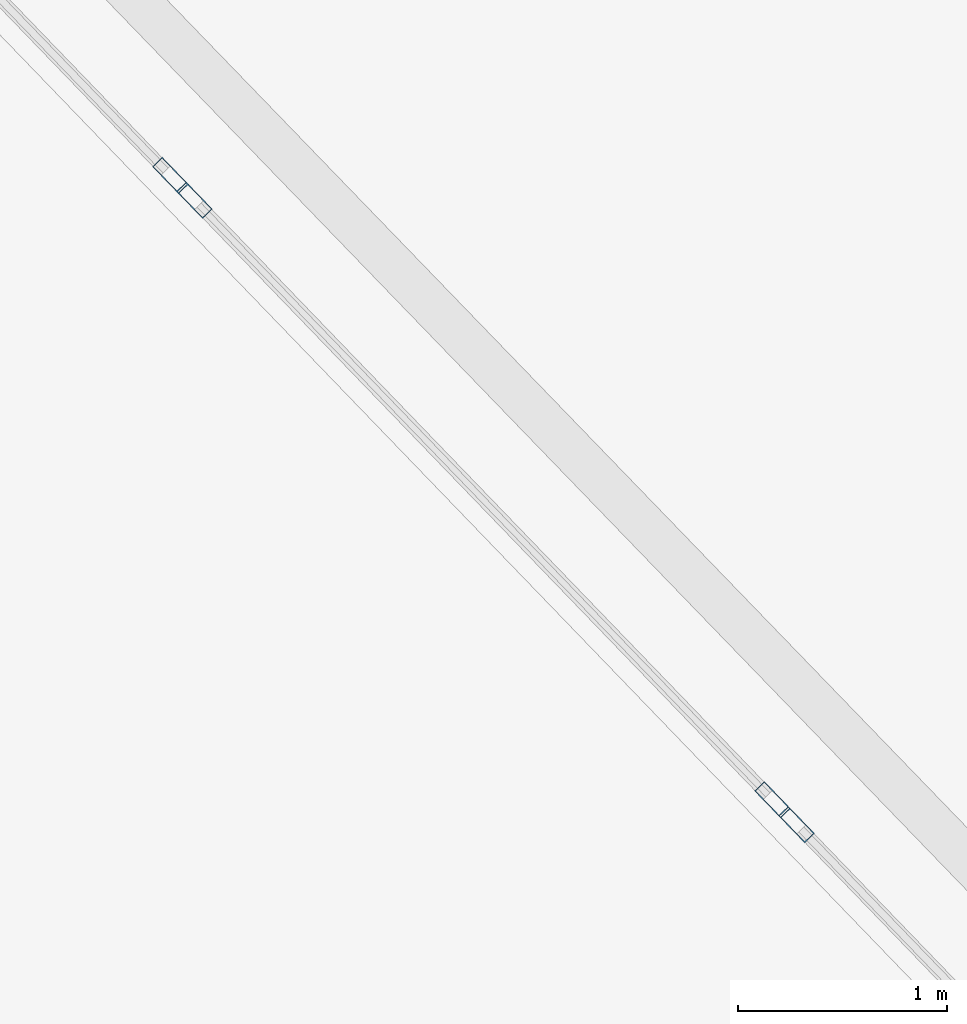
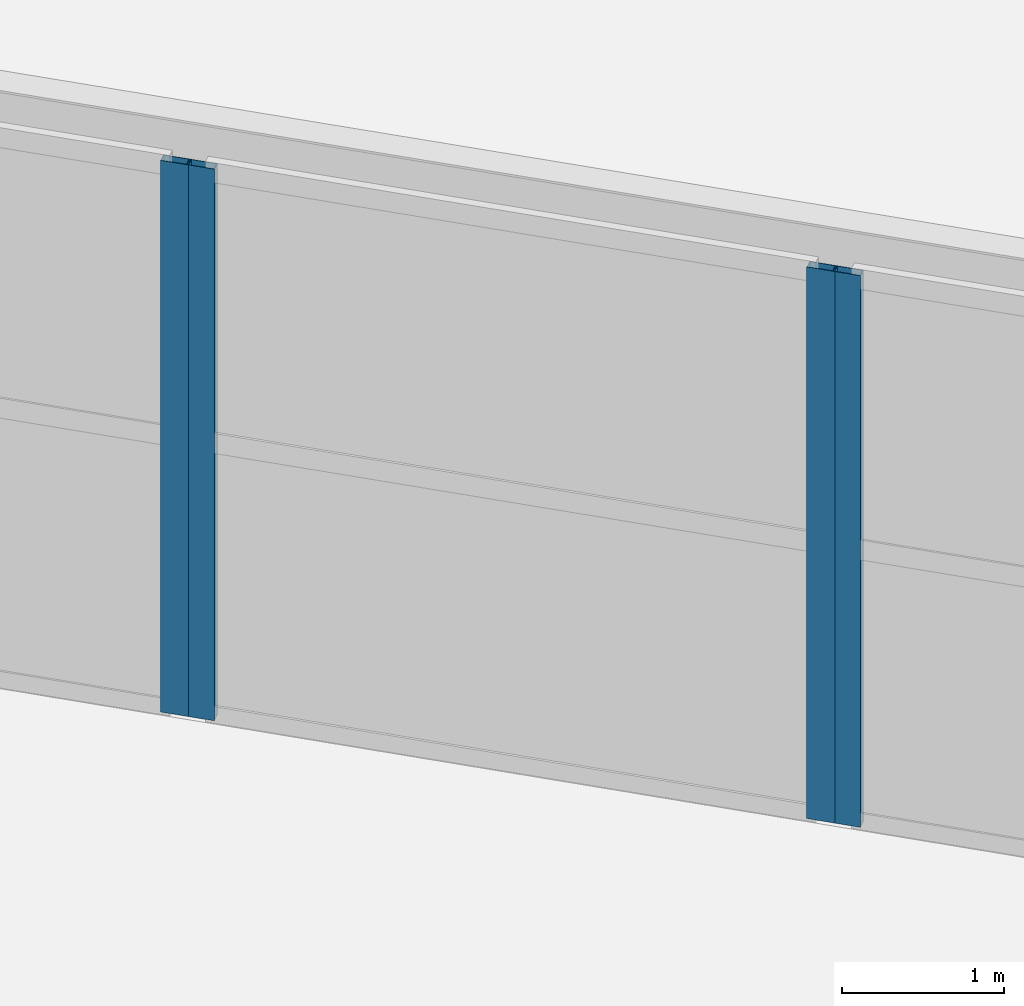
# One storey, part 15 of 126: 4 members, 3 elements without a shape of their own.
"""IFC4 building model written with IfcOpenShell, lengths in metres."""

from ifc_helpers import new_model, si_unit, direction, frame, origin, origin_2d, place, context, subcontext, project, spatial, hollow_rectangle, extrude, material, layer, layer_set, material_profile, profile_set, type_object, element, aggregate, save


model = new_model("IFC4")

# Units and contexts
model_context = context("Model", 3, precision=1e-05, world=origin(), true_north=direction((0.0, 1.0)))
body_context = subcontext(model_context, "Body", "Model", "MODEL_VIEW")
ifc_project = project(units=[si_unit("LENGTHUNIT", "METRE"), si_unit("AREAUNIT", "SQUARE_METRE"), si_unit("VOLUMEUNIT", "CUBIC_METRE"), si_unit("PLANEANGLEUNIT", "RADIAN"), si_unit("MASSUNIT", "GRAM", prefix="KILO")], contexts=[model_context])

# Site, building, storey
site_placement = place(None, origin())
site = spatial("IfcSite", under=ifc_project, at=site_placement, CompositionType="ELEMENT")
building_placement = place(site_placement, origin())
building = spatial("IfcBuilding", under=site, at=building_placement, Name="Kalgoora Escarpment Arena", CompositionType="ELEMENT")
storey_placement = place(building_placement, frame((0.0, 0.0, 18.89990234375)))
storey = spatial("IfcBuildingStorey", under=building, at=storey_placement, Name="L04", CompositionType="ELEMENT", Elevation=18.89990234375)

# Curtain wall, member
ifc_material_1 = material(Name=" Champagne anodised aluminium & double-glazed low-E", Category="aluminium")
ifc_layer_1 = layer(ifc_material_1, 0.162109375)
ifc_layer_set_1 = layer_set([ifc_layer_1], Name="CW-UNIT-08")
curtain_wall_type_1 = type_object("IfcCurtainWallType", Name="CW-UNIT-08", PredefinedType="NOTDEFINED", material=ifc_layer_set_1)
curtain_wall_1_placement = place(storey_placement, origin())
curtain_wall_1 = element("IfcCurtainWall", 1, at=curtain_wall_1_placement, inside=storey, type_object=curtain_wall_type_1, Name="L04 unitised facade curtain wall 127", PredefinedType="NOTDEFINED")
ifc_material_2 = material(Name="Anodised aluminium 6063-T6", Category="aluminium")
ifc_material_profile = material_profile(ifc_material_2, hollow_rectangle(XDim=0.06494140625, YDim=0.179931640625, WallThickness=0.00390625, at=origin_2d()))
ifc_profile_set = profile_set([ifc_material_profile], Name="Anodised aluminium 6063-T6")
member_type = type_object("IfcMemberType", Name="MEM-CW-MULL-180", PredefinedType="MULLION", material=ifc_profile_set)
member_1_placement = place(storey_placement, frame((35.59619140625, 29.25927734375, 0.02001953125), z_axis=(0.0, 0.0, 1.0), x_axis=(-0.719777208849, -0.694205135116, 0.0)))
member_1 = element("IfcMember", 2, at=member_1_placement, type_object=member_type, Name="CW-08 mullion 2", PredefinedType="MULLION", context=body_context, shape_type="SweptSolid", body=[
    extrude(hollow_rectangle(XDim=0.06494140625, YDim=0.179931640625, WallThickness=0.00390625, at=origin_2d()), origin(), (0.0, 0.0, 1.0), 4.150146484375),
])
aggregate(curtain_wall_1, [member_1])

# Curtain wall, members
ifc_material_3 = material(Name=" Champagne anodised aluminium & double-glazed low-E", Category="aluminium")
ifc_layer_2 = layer(ifc_material_3, 0.166015625)
ifc_layer_set_2 = layer_set([ifc_layer_2], Name="CW-UNIT-09")
curtain_wall_type_2 = type_object("IfcCurtainWallType", Name="CW-UNIT-09", PredefinedType="NOTDEFINED", material=ifc_layer_set_2)
curtain_wall_2_placement = place(storey_placement, origin())
curtain_wall_2 = element("IfcCurtainWall", 3, at=curtain_wall_2_placement, inside=storey, type_object=curtain_wall_type_2, Name="L04 unitised facade curtain wall 128", PredefinedType="NOTDEFINED")
member_2_placement = place(storey_placement, frame((35.481689453125, 29.3779296875, 0.02001953125), z_axis=(0.0, 0.0, 1.0), x_axis=(-0.719777208849, -0.694205135116, 0.0)))
member_2 = element("IfcMember", 4, at=member_2_placement, type_object=member_type, Name="CW-09 mullion 1", PredefinedType="MULLION", context=body_context, shape_type="SweptSolid", body=[
    extrude(hollow_rectangle(XDim=0.06494140625, YDim=0.179931640625, WallThickness=0.00390625, at=origin_2d()), origin(), (0.0, 0.0, 1.0), 4.150146484375),
])
member_3_placement = place(storey_placement, frame((32.719970703125, 32.24169921875, 0.02001953125), z_axis=(0.0, 0.0, 1.0), x_axis=(-0.719777208849, -0.694205135116, 0.0)))
member_3 = element("IfcMember", 5, at=member_3_placement, type_object=member_type, Name="CW-09 mullion 2", PredefinedType="MULLION", context=body_context, shape_type="SweptSolid", body=[
    extrude(hollow_rectangle(XDim=0.06494140625, YDim=0.179931640625, WallThickness=0.00390625, at=origin_2d()), origin(), (0.0, 0.0, 1.0), 4.150146484375),
])
aggregate(curtain_wall_2, [member_2, member_3])

# Curtain wall, member
ifc_material_4 = material(Name=" Champagne anodised aluminium & double-glazed low-E", Category="aluminium")
ifc_layer_3 = layer(ifc_material_4, 0.14990234375)
ifc_layer_set_3 = layer_set([ifc_layer_3], Name="CW-UNIT-10")
curtain_wall_type_3 = type_object("IfcCurtainWallType", Name="CW-UNIT-10", PredefinedType="NOTDEFINED", material=ifc_layer_set_3)
curtain_wall_3_placement = place(storey_placement, origin())
curtain_wall_3 = element("IfcCurtainWall", 6, at=curtain_wall_3_placement, inside=storey, type_object=curtain_wall_type_3, Name="L04 unitised facade curtain wall 129", PredefinedType="NOTDEFINED")
member_4_placement = place(storey_placement, frame((32.605224609375, 32.3603515625, 0.02001953125), z_axis=(0.0, 0.0, 1.0), x_axis=(-0.719779772297, -0.69420247723, 0.0)))
member_4 = element("IfcMember", 7, at=member_4_placement, type_object=member_type, Name="CW-10 mullion 1", PredefinedType="MULLION", context=body_context, shape_type="SweptSolid", body=[
    extrude(hollow_rectangle(XDim=0.06494140625, YDim=0.179931640625, WallThickness=0.00390625, at=origin_2d()), origin(), (0.0, 0.0, 1.0), 4.150146484375),
])
aggregate(curtain_wall_3, [member_4])

save(model, "model.ifc")
